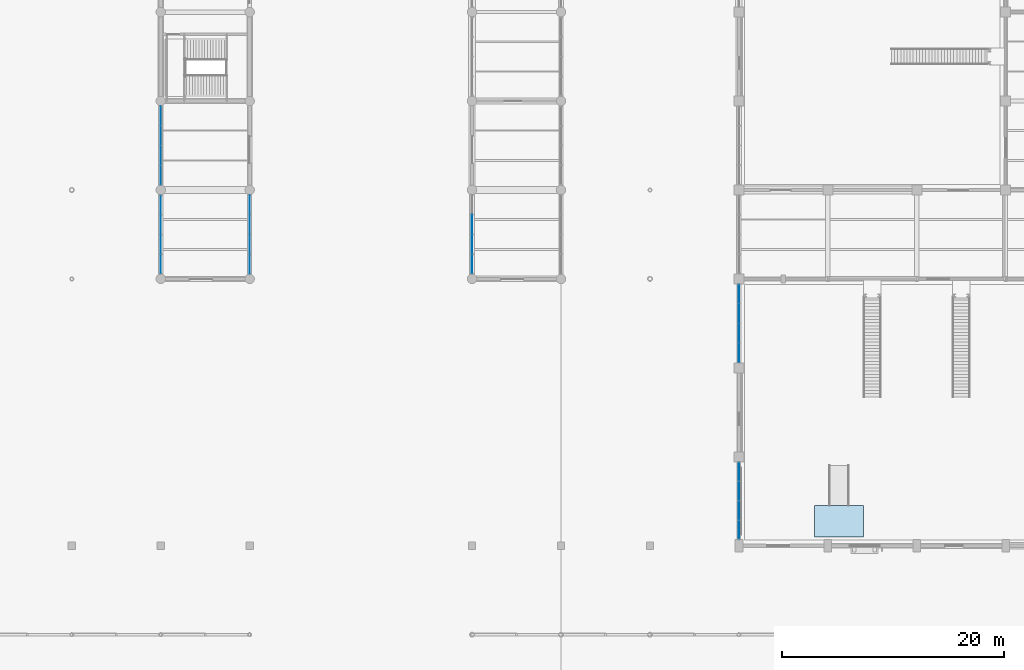
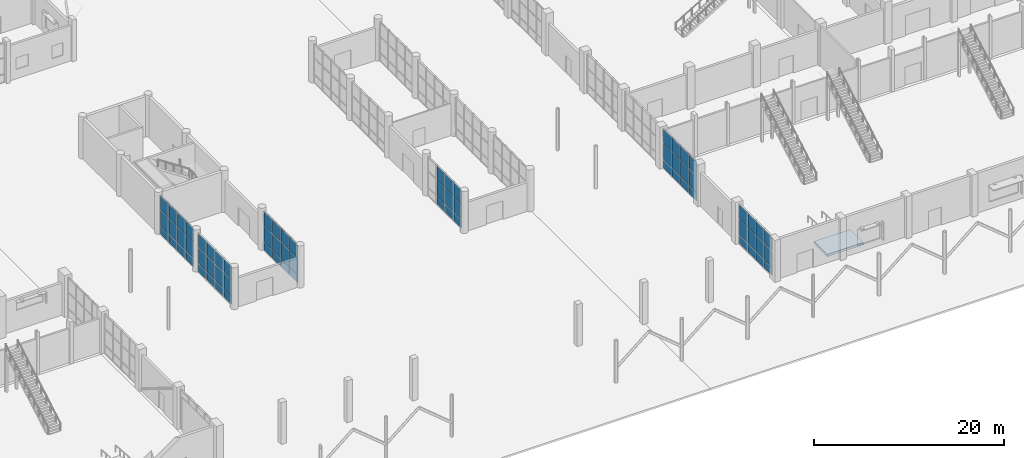
# One storey, part 71 of 123: 69 plates, 1 slab, 6 elements without a shape of their own.
"""IFC4 building model written with IfcOpenShell, lengths in metres."""

from ifc_helpers import new_model, si_unit, direction, frame, origin, origin_2d, place, context, subcontext, project, spatial, polyline, rectangle, outline, extrude, material, layer, layer_set, type_object, element, aggregate, save


model = new_model("IFC4")

# Units and contexts
model_context = context("Model", 3, precision=1e-05, world=origin(), true_north=direction((0.0, 1.0)))
body_context = subcontext(model_context, "Body", "Model", "MODEL_VIEW")
ifc_project = project(units=[si_unit("LENGTHUNIT", "METRE"), si_unit("AREAUNIT", "SQUARE_METRE"), si_unit("VOLUMEUNIT", "CUBIC_METRE"), si_unit("PLANEANGLEUNIT", "RADIAN"), si_unit("MASSUNIT", "GRAM", prefix="KILO")], contexts=[model_context])

# Site, building, storey
site_placement = place(None, origin())
site = spatial("IfcSite", under=ifc_project, at=site_placement, CompositionType="ELEMENT")
building_placement = place(site_placement, origin())
building = spatial("IfcBuilding", under=site, at=building_placement, Name="Tenunan Teduh Sports Hall", CompositionType="ELEMENT")
storey_placement = place(building_placement, origin())
storey = spatial("IfcBuildingStorey", under=building, at=storey_placement, Name="L00", CompositionType="ELEMENT", Elevation=0.0)

# Curtain wall, plates
ifc_material_1 = material(Name="Anodised aluminium", Category="aluminium")
curtain_wall_type = type_object("IfcCurtainWallType", Name="CW-UNIT-1", PredefinedType="NOTDEFINED", material=ifc_material_1)
curtain_wall_1_placement = place(storey_placement, origin())
curtain_wall_1 = element("IfcCurtainWall", 1, at=curtain_wall_1_placement, inside=storey, type_object=curtain_wall_type, Name="CW-CWM-175-L00-154", PredefinedType="NOTDEFINED")
ifc_material_2 = material(Name="Low-E laminated double glazing", Category="glass")
ifc_layer_1 = layer(ifc_material_2, 0.028076171875)
ifc_layer_set_1 = layer_set([ifc_layer_1], Name="Low-E laminated double glazing")
plate_type_1 = type_object("IfcPlateType", Name="CWP-GLZ-28", PredefinedType="CURTAIN_PANEL", material=ifc_layer_set_1)
plate_1_placement = place(storey_placement, frame((70.0, 47.3349609375, 1.13232421875), z_axis=(0.0, 0.0, 1.0), x_axis=(0.0, 1.0, 0.0)))
plate_1 = element("IfcPlate", 2, at=plate_1_placement, type_object=plate_type_1, Name="CW-01 panel 1.2", PredefinedType="CURTAIN_PANEL", context=body_context, shape_type="SweptSolid", body=[
    extrude(rectangle(XDim=1.68994140625, YDim=0.028076171875, at=origin_2d()), origin(), (0.0, 0.0, 1.0), 2.034912109375),
])
plate_2_placement = place(storey_placement, frame((70.0, 47.3349609375, 3.232421875), z_axis=(0.0, 0.0, 1.0), x_axis=(0.0, 1.0, 0.0)))
plate_2 = element("IfcPlate", 3, at=plate_2_placement, type_object=plate_type_1, Name="CW-01 panel 1.3", PredefinedType="CURTAIN_PANEL", context=body_context, shape_type="SweptSolid", body=[
    extrude(rectangle(XDim=1.68994140625, YDim=0.028076171875, at=origin_2d()), origin(), (0.0, 0.0, 1.0), 1.742431640625),
])
plate_3_placement = place(storey_placement, frame((70.0, 49.106201171875, 1.13232421875), z_axis=(0.0, 0.0, 1.0), x_axis=(0.0, 1.0, 0.0)))
plate_3 = element("IfcPlate", 4, at=plate_3_placement, type_object=plate_type_1, Name="CW-01 panel 2.2", PredefinedType="CURTAIN_PANEL", context=body_context, shape_type="SweptSolid", body=[
    extrude(rectangle(XDim=1.722412109375, YDim=0.028076171875, at=origin_2d()), origin(), (0.0, 0.0, 1.0), 2.034912109375),
])
plate_4_placement = place(storey_placement, frame((70.0, 49.106201171875, 3.232421875), z_axis=(0.0, 0.0, 1.0), x_axis=(0.0, 1.0, 0.0)))
plate_4 = element("IfcPlate", 5, at=plate_4_placement, type_object=plate_type_1, Name="CW-01 panel 2.3", PredefinedType="CURTAIN_PANEL", context=body_context, shape_type="SweptSolid", body=[
    extrude(rectangle(XDim=1.722412109375, YDim=0.028076171875, at=origin_2d()), origin(), (0.0, 0.0, 1.0), 1.742431640625),
])
plate_5_placement = place(storey_placement, frame((70.0, 50.893798828125, 1.13232421875), z_axis=(0.0, 0.0, 1.0), x_axis=(0.0, 1.0, 0.0)))
plate_5 = element("IfcPlate", 6, at=plate_5_placement, type_object=plate_type_1, Name="CW-01 panel 3.2", PredefinedType="CURTAIN_PANEL", context=body_context, shape_type="SweptSolid", body=[
    extrude(rectangle(XDim=1.722412109375, YDim=0.028076171875, at=origin_2d()), origin(), (0.0, 0.0, 1.0), 2.034912109375),
])
plate_6_placement = place(storey_placement, frame((70.0, 50.893798828125, 3.232421875), z_axis=(0.0, 0.0, 1.0), x_axis=(0.0, 1.0, 0.0)))
plate_6 = element("IfcPlate", 7, at=plate_6_placement, type_object=plate_type_1, Name="CW-01 panel 3.3", PredefinedType="CURTAIN_PANEL", context=body_context, shape_type="SweptSolid", body=[
    extrude(rectangle(XDim=1.722412109375, YDim=0.028076171875, at=origin_2d()), origin(), (0.0, 0.0, 1.0), 1.742431640625),
])
plate_7_placement = place(storey_placement, frame((70.0, 52.6650390625, 1.13232421875), z_axis=(0.0, 0.0, 1.0), x_axis=(0.0, 1.0, 0.0)))
plate_7 = element("IfcPlate", 8, at=plate_7_placement, type_object=plate_type_1, Name="CW-01 panel 4.2", PredefinedType="CURTAIN_PANEL", context=body_context, shape_type="SweptSolid", body=[
    extrude(rectangle(XDim=1.68994140625, YDim=0.028076171875, at=origin_2d()), origin(), (0.0, 0.0, 1.0), 2.034912109375),
])
plate_8_placement = place(storey_placement, frame((70.0, 52.6650390625, 3.232421875), z_axis=(0.0, 0.0, 1.0), x_axis=(0.0, 1.0, 0.0)))
plate_8 = element("IfcPlate", 9, at=plate_8_placement, type_object=plate_type_1, Name="CW-01 panel 4.3", PredefinedType="CURTAIN_PANEL", context=body_context, shape_type="SweptSolid", body=[
    extrude(rectangle(XDim=1.68994140625, YDim=0.028076171875, at=origin_2d()), origin(), (0.0, 0.0, 1.0), 1.742431640625),
])

curtain_wall_2_placement = place(storey_placement, origin())
curtain_wall_2 = element("IfcCurtainWall", 10, at=curtain_wall_2_placement, inside=storey, type_object=curtain_wall_type, Name="CW-CWM-200-L00-156", PredefinedType="NOTDEFINED")
plate_9_placement = place(storey_placement, frame((98.0, 39.336181640625, 1.134765625), z_axis=(0.0, 0.0, 1.0), x_axis=(0.0, 1.0, 0.0)))
plate_9 = element("IfcPlate", 11, at=plate_9_placement, type_object=plate_type_1, Name="CW-01 panel 1.2", PredefinedType="CURTAIN_PANEL", context=body_context, shape_type="SweptSolid", body=[
    extrude(rectangle(XDim=1.6826171875, YDim=0.028076171875, at=origin_2d()), origin(), (0.0, 0.0, 1.0), 2.030029296875),
])
plate_10_placement = place(storey_placement, frame((98.0, 39.336181640625, 3.23486328125), z_axis=(0.0, 0.0, 1.0), x_axis=(0.0, 1.0, 0.0)))
plate_10 = element("IfcPlate", 12, at=plate_10_placement, type_object=plate_type_1, Name="CW-01 panel 1.3", PredefinedType="CURTAIN_PANEL", context=body_context, shape_type="SweptSolid", body=[
    extrude(rectangle(XDim=1.6826171875, YDim=0.028076171875, at=origin_2d()), origin(), (0.0, 0.0, 1.0), 1.735107421875),
])
plate_11_placement = place(storey_placement, frame((98.0, 41.106201171875, 1.134765625), z_axis=(0.0, 0.0, 1.0), x_axis=(0.0, 1.0, 0.0)))
plate_11 = element("IfcPlate", 13, at=plate_11_placement, type_object=plate_type_1, Name="CW-01 panel 2.2", PredefinedType="CURTAIN_PANEL", context=body_context, shape_type="SweptSolid", body=[
    extrude(rectangle(XDim=1.717529296875, YDim=0.028076171875, at=origin_2d()), origin(), (0.0, 0.0, 1.0), 2.030029296875),
])
plate_12_placement = place(storey_placement, frame((98.0, 41.106201171875, 3.23486328125), z_axis=(0.0, 0.0, 1.0), x_axis=(0.0, 1.0, 0.0)))
plate_12 = element("IfcPlate", 14, at=plate_12_placement, type_object=plate_type_1, Name="CW-01 panel 2.3", PredefinedType="CURTAIN_PANEL", context=body_context, shape_type="SweptSolid", body=[
    extrude(rectangle(XDim=1.717529296875, YDim=0.028076171875, at=origin_2d()), origin(), (0.0, 0.0, 1.0), 1.735107421875),
])
plate_13_placement = place(storey_placement, frame((98.0, 42.893798828125, 1.134765625), z_axis=(0.0, 0.0, 1.0), x_axis=(0.0, 1.0, 0.0)))
plate_13 = element("IfcPlate", 15, at=plate_13_placement, type_object=plate_type_1, Name="CW-01 panel 3.2", PredefinedType="CURTAIN_PANEL", context=body_context, shape_type="SweptSolid", body=[
    extrude(rectangle(XDim=1.717529296875, YDim=0.028076171875, at=origin_2d()), origin(), (0.0, 0.0, 1.0), 2.030029296875),
])
plate_14_placement = place(storey_placement, frame((98.0, 42.893798828125, 3.23486328125), z_axis=(0.0, 0.0, 1.0), x_axis=(0.0, 1.0, 0.0)))
plate_14 = element("IfcPlate", 16, at=plate_14_placement, type_object=plate_type_1, Name="CW-01 panel 3.3", PredefinedType="CURTAIN_PANEL", context=body_context, shape_type="SweptSolid", body=[
    extrude(rectangle(XDim=1.717529296875, YDim=0.028076171875, at=origin_2d()), origin(), (0.0, 0.0, 1.0), 1.735107421875),
])

curtain_wall_3_placement = place(storey_placement, origin())
curtain_wall_3 = element("IfcCurtainWall", 17, at=curtain_wall_3_placement, inside=storey, type_object=curtain_wall_type, Name="CW-CWM-220-L00-001", PredefinedType="NOTDEFINED")
ifc_material_3 = material(Name="Solar-control laminated glazing", Category="glass")
ifc_layer_2 = layer(ifc_material_3, 0.031982421875)
ifc_layer_set_2 = layer_set([ifc_layer_2], Name="Solar-control laminated glazing")
plate_type_2 = type_object("IfcPlateType", Name="CWP-GLZ-32", PredefinedType="CURTAIN_PANEL", material=ifc_layer_set_2)
plate_15_placement = place(storey_placement, frame((122.0, 15.44384765625, 1.137451171875), z_axis=(0.0, 0.0, 1.0), x_axis=(0.0, 1.0, 0.0)))
plate_15 = element("IfcPlate", 18, at=plate_15_placement, type_object=plate_type_2, Name="CW-01 panel 1.2", PredefinedType="CURTAIN_PANEL", context=body_context, shape_type="SweptSolid", body=[
    extrude(rectangle(XDim=1.637451171875, YDim=0.031982421875, at=origin_2d()), origin(), (0.0, 0.0, 1.0), 2.02490234375),
])
plate_16_placement = place(storey_placement, frame((122.0, 15.44384765625, 3.237548828125), z_axis=(0.0, 0.0, 1.0), x_axis=(0.0, 1.0, 0.0)))
plate_16 = element("IfcPlate", 19, at=plate_16_placement, type_object=plate_type_2, Name="CW-01 panel 1.3", PredefinedType="CURTAIN_PANEL", context=body_context, shape_type="SweptSolid", body=[
    extrude(rectangle(XDim=1.637451171875, YDim=0.031982421875, at=origin_2d()), origin(), (0.0, 0.0, 1.0), 1.8076171875),
])
plate_17_placement = place(storey_placement, frame((122.0, 17.175048828125, 1.137451171875), z_axis=(0.0, 0.0, 1.0), x_axis=(0.0, 1.0, 0.0)))
plate_17 = element("IfcPlate", 20, at=plate_17_placement, type_object=plate_type_2, Name="CW-01 panel 2.2", PredefinedType="CURTAIN_PANEL", context=body_context, shape_type="SweptSolid", body=[
    extrude(rectangle(XDim=1.675048828125, YDim=0.031982421875, at=origin_2d()), origin(), (0.0, 0.0, 1.0), 2.02490234375),
])
plate_18_placement = place(storey_placement, frame((122.0, 17.175048828125, 3.237548828125), z_axis=(0.0, 0.0, 1.0), x_axis=(0.0, 1.0, 0.0)))
plate_18 = element("IfcPlate", 21, at=plate_18_placement, type_object=plate_type_2, Name="CW-01 panel 2.3", PredefinedType="CURTAIN_PANEL", context=body_context, shape_type="SweptSolid", body=[
    extrude(rectangle(XDim=1.675048828125, YDim=0.031982421875, at=origin_2d()), origin(), (0.0, 0.0, 1.0), 1.8076171875),
])
plate_19_placement = place(storey_placement, frame((122.0, 18.925048828125, 1.137451171875), z_axis=(0.0, 0.0, 1.0), x_axis=(0.0, 1.0, 0.0)))
plate_19 = element("IfcPlate", 22, at=plate_19_placement, type_object=plate_type_2, Name="CW-01 panel 3.2", PredefinedType="CURTAIN_PANEL", context=body_context, shape_type="SweptSolid", body=[
    extrude(rectangle(XDim=1.675048828125, YDim=0.031982421875, at=origin_2d()), origin(), (0.0, 0.0, 1.0), 2.02490234375),
])
plate_20_placement = place(storey_placement, frame((122.0, 18.925048828125, 3.237548828125), z_axis=(0.0, 0.0, 1.0), x_axis=(0.0, 1.0, 0.0)))
plate_20 = element("IfcPlate", 23, at=plate_20_placement, type_object=plate_type_2, Name="CW-01 panel 3.3", PredefinedType="CURTAIN_PANEL", context=body_context, shape_type="SweptSolid", body=[
    extrude(rectangle(XDim=1.675048828125, YDim=0.031982421875, at=origin_2d()), origin(), (0.0, 0.0, 1.0), 1.8076171875),
])
plate_21_placement = place(storey_placement, frame((122.0, 20.65625, 1.137451171875), z_axis=(0.0, 0.0, 1.0), x_axis=(0.0, 1.0, 0.0)))
plate_21 = element("IfcPlate", 24, at=plate_21_placement, type_object=plate_type_2, Name="CW-01 panel 4.2", PredefinedType="CURTAIN_PANEL", context=body_context, shape_type="SweptSolid", body=[
    extrude(rectangle(XDim=1.637451171875, YDim=0.031982421875, at=origin_2d()), origin(), (0.0, 0.0, 1.0), 2.02490234375),
])
plate_22_placement = place(storey_placement, frame((122.0, 20.65625, 3.237548828125), z_axis=(0.0, 0.0, 1.0), x_axis=(0.0, 1.0, 0.0)))
plate_22 = element("IfcPlate", 25, at=plate_22_placement, type_object=plate_type_2, Name="CW-01 panel 4.3", PredefinedType="CURTAIN_PANEL", context=body_context, shape_type="SweptSolid", body=[
    extrude(rectangle(XDim=1.637451171875, YDim=0.031982421875, at=origin_2d()), origin(), (0.0, 0.0, 1.0), 1.8076171875),
])

curtain_wall_4_placement = place(storey_placement, origin())
curtain_wall_4 = element("IfcCurtainWall", 26, at=curtain_wall_4_placement, inside=storey, type_object=curtain_wall_type, Name="CW-CWM-150-L00-003", PredefinedType="NOTDEFINED")
plate_23_placement = place(storey_placement, frame((122.0, 31.3525390625, 1.1298828125), z_axis=(0.0, 0.0, 1.0), x_axis=(0.0, 1.0, 0.0)))
plate_23 = element("IfcPlate", 27, at=plate_23_placement, type_object=plate_type_2, Name="CW-01 panel 1.2", PredefinedType="CURTAIN_PANEL", context=body_context, shape_type="SweptSolid", body=[
    extrude(rectangle(XDim=1.68505859375, YDim=0.031982421875, at=origin_2d()), origin(), (0.0, 0.0, 1.0), 2.0400390625),
])
plate_24_placement = place(storey_placement, frame((122.0, 31.3525390625, 3.22998046875), z_axis=(0.0, 0.0, 1.0), x_axis=(0.0, 1.0, 0.0)))
plate_24 = element("IfcPlate", 28, at=plate_24_placement, type_object=plate_type_2, Name="CW-01 panel 1.3", PredefinedType="CURTAIN_PANEL", context=body_context, shape_type="SweptSolid", body=[
    extrude(rectangle(XDim=1.68505859375, YDim=0.031982421875, at=origin_2d()), origin(), (0.0, 0.0, 1.0), 1.830078125),
])
plate_25_placement = place(storey_placement, frame((122.0, 33.112548828125, 1.1298828125), z_axis=(0.0, 0.0, 1.0), x_axis=(0.0, 1.0, 0.0)))
plate_25 = element("IfcPlate", 29, at=plate_25_placement, type_object=plate_type_2, Name="CW-01 panel 2.2", PredefinedType="CURTAIN_PANEL", context=body_context, shape_type="SweptSolid", body=[
    extrude(rectangle(XDim=1.715087890625, YDim=0.031982421875, at=origin_2d()), origin(), (0.0, 0.0, 1.0), 2.0400390625),
])
plate_26_placement = place(storey_placement, frame((122.0, 33.112548828125, 3.22998046875), z_axis=(0.0, 0.0, 1.0), x_axis=(0.0, 1.0, 0.0)))
plate_26 = element("IfcPlate", 30, at=plate_26_placement, type_object=plate_type_2, Name="CW-01 panel 2.3", PredefinedType="CURTAIN_PANEL", context=body_context, shape_type="SweptSolid", body=[
    extrude(rectangle(XDim=1.715087890625, YDim=0.031982421875, at=origin_2d()), origin(), (0.0, 0.0, 1.0), 1.830078125),
])
plate_27_placement = place(storey_placement, frame((122.0, 34.887451171875, 1.1298828125), z_axis=(0.0, 0.0, 1.0), x_axis=(0.0, 1.0, 0.0)))
plate_27 = element("IfcPlate", 31, at=plate_27_placement, type_object=plate_type_2, Name="CW-01 panel 3.2", PredefinedType="CURTAIN_PANEL", context=body_context, shape_type="SweptSolid", body=[
    extrude(rectangle(XDim=1.715087890625, YDim=0.031982421875, at=origin_2d()), origin(), (0.0, 0.0, 1.0), 2.0400390625),
])
plate_28_placement = place(storey_placement, frame((122.0, 34.887451171875, 3.22998046875), z_axis=(0.0, 0.0, 1.0), x_axis=(0.0, 1.0, 0.0)))
plate_28 = element("IfcPlate", 32, at=plate_28_placement, type_object=plate_type_2, Name="CW-01 panel 3.3", PredefinedType="CURTAIN_PANEL", context=body_context, shape_type="SweptSolid", body=[
    extrude(rectangle(XDim=1.715087890625, YDim=0.031982421875, at=origin_2d()), origin(), (0.0, 0.0, 1.0), 1.830078125),
])
plate_29_placement = place(storey_placement, frame((122.0, 36.6474609375, 1.1298828125), z_axis=(0.0, 0.0, 1.0), x_axis=(0.0, 1.0, 0.0)))
plate_29 = element("IfcPlate", 33, at=plate_29_placement, type_object=plate_type_2, Name="CW-01 panel 4.2", PredefinedType="CURTAIN_PANEL", context=body_context, shape_type="SweptSolid", body=[
    extrude(rectangle(XDim=1.68505859375, YDim=0.031982421875, at=origin_2d()), origin(), (0.0, 0.0, 1.0), 2.0400390625),
])
plate_30_placement = place(storey_placement, frame((122.0, 36.6474609375, 3.22998046875), z_axis=(0.0, 0.0, 1.0), x_axis=(0.0, 1.0, 0.0)))
plate_30 = element("IfcPlate", 34, at=plate_30_placement, type_object=plate_type_2, Name="CW-01 panel 4.3", PredefinedType="CURTAIN_PANEL", context=body_context, shape_type="SweptSolid", body=[
    extrude(rectangle(XDim=1.68505859375, YDim=0.031982421875, at=origin_2d()), origin(), (0.0, 0.0, 1.0), 1.830078125),
])

curtain_wall_5_placement = place(storey_placement, origin())
curtain_wall_5 = element("IfcCurtainWall", 35, at=curtain_wall_5_placement, inside=storey, type_object=curtain_wall_type, Name="CW-CWM-220-L00-153", PredefinedType="NOTDEFINED")
plate_31_placement = place(storey_placement, frame((70.0, 39.33740234375, 1.137451171875), z_axis=(0.0, 0.0, 1.0), x_axis=(0.0, 1.0, 0.0)))
plate_31 = element("IfcPlate", 36, at=plate_31_placement, type_object=plate_type_2, Name="CW-01 panel 1.2", PredefinedType="CURTAIN_PANEL", context=body_context, shape_type="SweptSolid", body=[
    extrude(rectangle(XDim=1.675048828125, YDim=0.031982421875, at=origin_2d()), origin(), (0.0, 0.0, 1.0), 2.02490234375),
])
plate_32_placement = place(storey_placement, frame((70.0, 39.33740234375, 3.237548828125), z_axis=(0.0, 0.0, 1.0), x_axis=(0.0, 1.0, 0.0)))
plate_32 = element("IfcPlate", 37, at=plate_32_placement, type_object=plate_type_2, Name="CW-01 panel 1.3", PredefinedType="CURTAIN_PANEL", context=body_context, shape_type="SweptSolid", body=[
    extrude(rectangle(XDim=1.675048828125, YDim=0.031982421875, at=origin_2d()), origin(), (0.0, 0.0, 1.0), 1.7275390625),
])
plate_33_placement = place(storey_placement, frame((70.0, 41.106201171875, 1.137451171875), z_axis=(0.0, 0.0, 1.0), x_axis=(0.0, 1.0, 0.0)))
plate_33 = element("IfcPlate", 38, at=plate_33_placement, type_object=plate_type_2, Name="CW-01 panel 2.2", PredefinedType="CURTAIN_PANEL", context=body_context, shape_type="SweptSolid", body=[
    extrude(rectangle(XDim=1.71240234375, YDim=0.031982421875, at=origin_2d()), origin(), (0.0, 0.0, 1.0), 2.02490234375),
])
plate_34_placement = place(storey_placement, frame((70.0, 41.106201171875, 3.237548828125), z_axis=(0.0, 0.0, 1.0), x_axis=(0.0, 1.0, 0.0)))
plate_34 = element("IfcPlate", 39, at=plate_34_placement, type_object=plate_type_2, Name="CW-01 panel 2.3", PredefinedType="CURTAIN_PANEL", context=body_context, shape_type="SweptSolid", body=[
    extrude(rectangle(XDim=1.71240234375, YDim=0.031982421875, at=origin_2d()), origin(), (0.0, 0.0, 1.0), 1.7275390625),
])
plate_35_placement = place(storey_placement, frame((70.0, 42.893798828125, 1.137451171875), z_axis=(0.0, 0.0, 1.0), x_axis=(0.0, 1.0, 0.0)))
plate_35 = element("IfcPlate", 40, at=plate_35_placement, type_object=plate_type_2, Name="CW-01 panel 3.2", PredefinedType="CURTAIN_PANEL", context=body_context, shape_type="SweptSolid", body=[
    extrude(rectangle(XDim=1.71240234375, YDim=0.031982421875, at=origin_2d()), origin(), (0.0, 0.0, 1.0), 2.02490234375),
])
plate_36_placement = place(storey_placement, frame((70.0, 42.893798828125, 3.237548828125), z_axis=(0.0, 0.0, 1.0), x_axis=(0.0, 1.0, 0.0)))
plate_36 = element("IfcPlate", 41, at=plate_36_placement, type_object=plate_type_2, Name="CW-01 panel 3.3", PredefinedType="CURTAIN_PANEL", context=body_context, shape_type="SweptSolid", body=[
    extrude(rectangle(XDim=1.71240234375, YDim=0.031982421875, at=origin_2d()), origin(), (0.0, 0.0, 1.0), 1.7275390625),
])
plate_37_placement = place(storey_placement, frame((70.0, 44.66259765625, 1.137451171875), z_axis=(0.0, 0.0, 1.0), x_axis=(0.0, 1.0, 0.0)))
plate_37 = element("IfcPlate", 42, at=plate_37_placement, type_object=plate_type_2, Name="CW-01 panel 4.2", PredefinedType="CURTAIN_PANEL", context=body_context, shape_type="SweptSolid", body=[
    extrude(rectangle(XDim=1.675048828125, YDim=0.031982421875, at=origin_2d()), origin(), (0.0, 0.0, 1.0), 2.02490234375),
])
plate_38_placement = place(storey_placement, frame((70.0, 44.66259765625, 3.237548828125), z_axis=(0.0, 0.0, 1.0), x_axis=(0.0, 1.0, 0.0)))
plate_38 = element("IfcPlate", 43, at=plate_38_placement, type_object=plate_type_2, Name="CW-01 panel 4.3", PredefinedType="CURTAIN_PANEL", context=body_context, shape_type="SweptSolid", body=[
    extrude(rectangle(XDim=1.675048828125, YDim=0.031982421875, at=origin_2d()), origin(), (0.0, 0.0, 1.0), 1.7275390625),
])

curtain_wall_6_placement = place(storey_placement, origin())
curtain_wall_6 = element("IfcCurtainWall", 44, at=curtain_wall_6_placement, inside=storey, type_object=curtain_wall_type, Name="CW-CWM-150-L00-155", PredefinedType="NOTDEFINED")
plate_39_placement = place(storey_placement, frame((78.0, 39.333740234375, 1.1298828125), z_axis=(0.0, 0.0, 1.0), x_axis=(0.0, 1.0, 0.0)))
plate_39 = element("IfcPlate", 45, at=plate_39_placement, type_object=plate_type_2, Name="CW-01 panel 1.2", PredefinedType="CURTAIN_PANEL", context=body_context, shape_type="SweptSolid", body=[
    extrude(rectangle(XDim=1.697509765625, YDim=0.031982421875, at=origin_2d()), origin(), (0.0, 0.0, 1.0), 2.0400390625),
])
plate_40_placement = place(storey_placement, frame((78.0, 39.333740234375, 3.22998046875), z_axis=(0.0, 0.0, 1.0), x_axis=(0.0, 1.0, 0.0)))
plate_40 = element("IfcPlate", 46, at=plate_40_placement, type_object=plate_type_2, Name="CW-01 panel 1.3", PredefinedType="CURTAIN_PANEL", context=body_context, shape_type="SweptSolid", body=[
    extrude(rectangle(XDim=1.697509765625, YDim=0.031982421875, at=origin_2d()), origin(), (0.0, 0.0, 1.0), 1.75),
])
plate_41_placement = place(storey_placement, frame((78.0, 41.106201171875, 1.1298828125), z_axis=(0.0, 0.0, 1.0), x_axis=(0.0, 1.0, 0.0)))
plate_41 = element("IfcPlate", 47, at=plate_41_placement, type_object=plate_type_2, Name="CW-01 panel 2.2", PredefinedType="CURTAIN_PANEL", context=body_context, shape_type="SweptSolid", body=[
    extrude(rectangle(XDim=1.7275390625, YDim=0.031982421875, at=origin_2d()), origin(), (0.0, 0.0, 1.0), 2.0400390625),
])
plate_42_placement = place(storey_placement, frame((78.0, 41.106201171875, 3.22998046875), z_axis=(0.0, 0.0, 1.0), x_axis=(0.0, 1.0, 0.0)))
plate_42 = element("IfcPlate", 48, at=plate_42_placement, type_object=plate_type_2, Name="CW-01 panel 2.3", PredefinedType="CURTAIN_PANEL", context=body_context, shape_type="SweptSolid", body=[
    extrude(rectangle(XDim=1.7275390625, YDim=0.031982421875, at=origin_2d()), origin(), (0.0, 0.0, 1.0), 1.75),
])
plate_43_placement = place(storey_placement, frame((78.0, 42.893798828125, 1.1298828125), z_axis=(0.0, 0.0, 1.0), x_axis=(0.0, 1.0, 0.0)))
plate_43 = element("IfcPlate", 49, at=plate_43_placement, type_object=plate_type_2, Name="CW-01 panel 3.2", PredefinedType="CURTAIN_PANEL", context=body_context, shape_type="SweptSolid", body=[
    extrude(rectangle(XDim=1.7275390625, YDim=0.031982421875, at=origin_2d()), origin(), (0.0, 0.0, 1.0), 2.0400390625),
])
plate_44_placement = place(storey_placement, frame((78.0, 42.893798828125, 3.22998046875), z_axis=(0.0, 0.0, 1.0), x_axis=(0.0, 1.0, 0.0)))
plate_44 = element("IfcPlate", 50, at=plate_44_placement, type_object=plate_type_2, Name="CW-01 panel 3.3", PredefinedType="CURTAIN_PANEL", context=body_context, shape_type="SweptSolid", body=[
    extrude(rectangle(XDim=1.7275390625, YDim=0.031982421875, at=origin_2d()), origin(), (0.0, 0.0, 1.0), 1.75),
])
plate_45_placement = place(storey_placement, frame((78.0, 44.666259765625, 1.1298828125), z_axis=(0.0, 0.0, 1.0), x_axis=(0.0, 1.0, 0.0)))
plate_45 = element("IfcPlate", 51, at=plate_45_placement, type_object=plate_type_2, Name="CW-01 panel 4.2", PredefinedType="CURTAIN_PANEL", context=body_context, shape_type="SweptSolid", body=[
    extrude(rectangle(XDim=1.697509765625, YDim=0.031982421875, at=origin_2d()), origin(), (0.0, 0.0, 1.0), 2.0400390625),
])
plate_46_placement = place(storey_placement, frame((78.0, 44.666259765625, 3.22998046875), z_axis=(0.0, 0.0, 1.0), x_axis=(0.0, 1.0, 0.0)))
plate_46 = element("IfcPlate", 52, at=plate_46_placement, type_object=plate_type_2, Name="CW-01 panel 4.3", PredefinedType="CURTAIN_PANEL", context=body_context, shape_type="SweptSolid", body=[
    extrude(rectangle(XDim=1.697509765625, YDim=0.031982421875, at=origin_2d()), origin(), (0.0, 0.0, 1.0), 1.75),
])

# Plate
ifc_material_4 = material(Name="Insulated aluminium spandrel panel", Category="aluminium")
ifc_layer_3 = layer(ifc_material_4, 0.044921875)
ifc_layer_set_3 = layer_set([ifc_layer_3], Name="Insulated aluminium spandrel panel")
plate_type_3 = type_object("IfcPlateType", Name="CWP-SPN-45", PredefinedType="CURTAIN_PANEL", material=ifc_layer_set_3)
plate_47_placement = place(storey_placement, frame((122.0, 15.44384765625, 0.0751953125), z_axis=(0.0, 0.0, 1.0), x_axis=(0.0, 1.0, 0.0)))
plate_47 = element("IfcPlate", 53, at=plate_47_placement, type_object=plate_type_3, Name="CW-01 panel 1.1", PredefinedType="CURTAIN_PANEL", context=body_context, shape_type="SweptSolid", body=[
    extrude(rectangle(XDim=1.637451171875, YDim=0.031982421875, at=origin_2d()), origin(), (0.0, 0.0, 1.0), 0.987548828125),
])

plate_48_placement = place(storey_placement, frame((122.0, 17.175048828125, 0.0751953125), z_axis=(0.0, 0.0, 1.0), x_axis=(0.0, 1.0, 0.0)))
plate_48 = element("IfcPlate", 54, at=plate_48_placement, type_object=plate_type_3, Name="CW-01 panel 2.1", PredefinedType="CURTAIN_PANEL", context=body_context, shape_type="SweptSolid", body=[
    extrude(rectangle(XDim=1.675048828125, YDim=0.031982421875, at=origin_2d()), origin(), (0.0, 0.0, 1.0), 0.987548828125),
])

plate_49_placement = place(storey_placement, frame((122.0, 18.925048828125, 0.0751953125), z_axis=(0.0, 0.0, 1.0), x_axis=(0.0, 1.0, 0.0)))
plate_49 = element("IfcPlate", 55, at=plate_49_placement, type_object=plate_type_3, Name="CW-01 panel 3.1", PredefinedType="CURTAIN_PANEL", context=body_context, shape_type="SweptSolid", body=[
    extrude(rectangle(XDim=1.675048828125, YDim=0.031982421875, at=origin_2d()), origin(), (0.0, 0.0, 1.0), 0.987548828125),
])

plate_50_placement = place(storey_placement, frame((122.0, 20.65625, 0.0751953125), z_axis=(0.0, 0.0, 1.0), x_axis=(0.0, 1.0, 0.0)))
plate_50 = element("IfcPlate", 56, at=plate_50_placement, type_object=plate_type_3, Name="CW-01 panel 4.1", PredefinedType="CURTAIN_PANEL", context=body_context, shape_type="SweptSolid", body=[
    extrude(rectangle(XDim=1.637451171875, YDim=0.031982421875, at=origin_2d()), origin(), (0.0, 0.0, 1.0), 0.987548828125),
])

aggregate(curtain_wall_3, [plate_47, plate_15, plate_16, plate_48, plate_17, plate_18, plate_49, plate_19, plate_20, plate_50, plate_21, plate_22])

plate_51_placement = place(storey_placement, frame((122.0, 31.3525390625, 0.06005859375), z_axis=(0.0, 0.0, 1.0), x_axis=(0.0, 1.0, 0.0)))
plate_51 = element("IfcPlate", 57, at=plate_51_placement, type_object=plate_type_3, Name="CW-01 panel 1.1", PredefinedType="CURTAIN_PANEL", context=body_context, shape_type="SweptSolid", body=[
    extrude(rectangle(XDim=1.68505859375, YDim=0.031982421875, at=origin_2d()), origin(), (0.0, 0.0, 1.0), 1.010009765625),
])

plate_52_placement = place(storey_placement, frame((122.0, 33.112548828125, 0.06005859375), z_axis=(0.0, 0.0, 1.0), x_axis=(0.0, 1.0, 0.0)))
plate_52 = element("IfcPlate", 58, at=plate_52_placement, type_object=plate_type_3, Name="CW-01 panel 2.1", PredefinedType="CURTAIN_PANEL", context=body_context, shape_type="SweptSolid", body=[
    extrude(rectangle(XDim=1.715087890625, YDim=0.031982421875, at=origin_2d()), origin(), (0.0, 0.0, 1.0), 1.010009765625),
])

plate_53_placement = place(storey_placement, frame((122.0, 34.887451171875, 0.06005859375), z_axis=(0.0, 0.0, 1.0), x_axis=(0.0, 1.0, 0.0)))
plate_53 = element("IfcPlate", 59, at=plate_53_placement, type_object=plate_type_3, Name="CW-01 panel 3.1", PredefinedType="CURTAIN_PANEL", context=body_context, shape_type="SweptSolid", body=[
    extrude(rectangle(XDim=1.715087890625, YDim=0.031982421875, at=origin_2d()), origin(), (0.0, 0.0, 1.0), 1.010009765625),
])

plate_54_placement = place(storey_placement, frame((122.0, 36.6474609375, 0.06005859375), z_axis=(0.0, 0.0, 1.0), x_axis=(0.0, 1.0, 0.0)))
plate_54 = element("IfcPlate", 60, at=plate_54_placement, type_object=plate_type_3, Name="CW-01 panel 4.1", PredefinedType="CURTAIN_PANEL", context=body_context, shape_type="SweptSolid", body=[
    extrude(rectangle(XDim=1.68505859375, YDim=0.031982421875, at=origin_2d()), origin(), (0.0, 0.0, 1.0), 1.010009765625),
])

aggregate(curtain_wall_4, [plate_51, plate_23, plate_24, plate_52, plate_25, plate_26, plate_53, plate_27, plate_28, plate_54, plate_29, plate_30])

plate_55_placement = place(storey_placement, frame((70.0, 39.33740234375, 0.0751953125), z_axis=(0.0, 0.0, 1.0), x_axis=(0.0, 1.0, 0.0)))
plate_55 = element("IfcPlate", 61, at=plate_55_placement, type_object=plate_type_3, Name="CW-01 panel 1.1", PredefinedType="CURTAIN_PANEL", context=body_context, shape_type="SweptSolid", body=[
    extrude(rectangle(XDim=1.675048828125, YDim=0.031982421875, at=origin_2d()), origin(), (0.0, 0.0, 1.0), 0.987548828125),
])

plate_56_placement = place(storey_placement, frame((70.0, 41.106201171875, 0.0751953125), z_axis=(0.0, 0.0, 1.0), x_axis=(0.0, 1.0, 0.0)))
plate_56 = element("IfcPlate", 62, at=plate_56_placement, type_object=plate_type_3, Name="CW-01 panel 2.1", PredefinedType="CURTAIN_PANEL", context=body_context, shape_type="SweptSolid", body=[
    extrude(rectangle(XDim=1.71240234375, YDim=0.031982421875, at=origin_2d()), origin(), (0.0, 0.0, 1.0), 0.987548828125),
])

plate_57_placement = place(storey_placement, frame((70.0, 42.893798828125, 0.0751953125), z_axis=(0.0, 0.0, 1.0), x_axis=(0.0, 1.0, 0.0)))
plate_57 = element("IfcPlate", 63, at=plate_57_placement, type_object=plate_type_3, Name="CW-01 panel 3.1", PredefinedType="CURTAIN_PANEL", context=body_context, shape_type="SweptSolid", body=[
    extrude(rectangle(XDim=1.71240234375, YDim=0.031982421875, at=origin_2d()), origin(), (0.0, 0.0, 1.0), 0.987548828125),
])

plate_58_placement = place(storey_placement, frame((70.0, 44.66259765625, 0.0751953125), z_axis=(0.0, 0.0, 1.0), x_axis=(0.0, 1.0, 0.0)))
plate_58 = element("IfcPlate", 64, at=plate_58_placement, type_object=plate_type_3, Name="CW-01 panel 4.1", PredefinedType="CURTAIN_PANEL", context=body_context, shape_type="SweptSolid", body=[
    extrude(rectangle(XDim=1.675048828125, YDim=0.031982421875, at=origin_2d()), origin(), (0.0, 0.0, 1.0), 0.987548828125),
])

aggregate(curtain_wall_5, [plate_55, plate_31, plate_32, plate_56, plate_33, plate_34, plate_57, plate_35, plate_36, plate_58, plate_37, plate_38])

plate_59_placement = place(storey_placement, frame((70.0, 47.3349609375, 0.06494140625), z_axis=(0.0, 0.0, 1.0), x_axis=(0.0, 1.0, 0.0)))
plate_59 = element("IfcPlate", 65, at=plate_59_placement, type_object=plate_type_3, Name="CW-01 panel 1.1", PredefinedType="CURTAIN_PANEL", context=body_context, shape_type="SweptSolid", body=[
    extrude(rectangle(XDim=1.68994140625, YDim=0.028076171875, at=origin_2d()), origin(), (0.0, 0.0, 1.0), 1.00244140625),
])

plate_60_placement = place(storey_placement, frame((70.0, 49.106201171875, 0.06494140625), z_axis=(0.0, 0.0, 1.0), x_axis=(0.0, 1.0, 0.0)))
plate_60 = element("IfcPlate", 66, at=plate_60_placement, type_object=plate_type_3, Name="CW-01 panel 2.1", PredefinedType="CURTAIN_PANEL", context=body_context, shape_type="SweptSolid", body=[
    extrude(rectangle(XDim=1.722412109375, YDim=0.028076171875, at=origin_2d()), origin(), (0.0, 0.0, 1.0), 1.00244140625),
])

plate_61_placement = place(storey_placement, frame((70.0, 50.893798828125, 0.06494140625), z_axis=(0.0, 0.0, 1.0), x_axis=(0.0, 1.0, 0.0)))
plate_61 = element("IfcPlate", 67, at=plate_61_placement, type_object=plate_type_3, Name="CW-01 panel 3.1", PredefinedType="CURTAIN_PANEL", context=body_context, shape_type="SweptSolid", body=[
    extrude(rectangle(XDim=1.722412109375, YDim=0.028076171875, at=origin_2d()), origin(), (0.0, 0.0, 1.0), 1.00244140625),
])

plate_62_placement = place(storey_placement, frame((70.0, 52.6650390625, 0.06494140625), z_axis=(0.0, 0.0, 1.0), x_axis=(0.0, 1.0, 0.0)))
plate_62 = element("IfcPlate", 68, at=plate_62_placement, type_object=plate_type_3, Name="CW-01 panel 4.1", PredefinedType="CURTAIN_PANEL", context=body_context, shape_type="SweptSolid", body=[
    extrude(rectangle(XDim=1.68994140625, YDim=0.028076171875, at=origin_2d()), origin(), (0.0, 0.0, 1.0), 1.00244140625),
])

aggregate(curtain_wall_1, [plate_59, plate_1, plate_2, plate_60, plate_3, plate_4, plate_61, plate_5, plate_6, plate_62, plate_7, plate_8])

plate_63_placement = place(storey_placement, frame((78.0, 39.333740234375, 0.06005859375), z_axis=(0.0, 0.0, 1.0), x_axis=(0.0, 1.0, 0.0)))
plate_63 = element("IfcPlate", 69, at=plate_63_placement, type_object=plate_type_3, Name="CW-01 panel 1.1", PredefinedType="CURTAIN_PANEL", context=body_context, shape_type="SweptSolid", body=[
    extrude(rectangle(XDim=1.697509765625, YDim=0.031982421875, at=origin_2d()), origin(), (0.0, 0.0, 1.0), 1.010009765625),
])

plate_64_placement = place(storey_placement, frame((78.0, 41.106201171875, 0.06005859375), z_axis=(0.0, 0.0, 1.0), x_axis=(0.0, 1.0, 0.0)))
plate_64 = element("IfcPlate", 70, at=plate_64_placement, type_object=plate_type_3, Name="CW-01 panel 2.1", PredefinedType="CURTAIN_PANEL", context=body_context, shape_type="SweptSolid", body=[
    extrude(rectangle(XDim=1.7275390625, YDim=0.031982421875, at=origin_2d()), origin(), (0.0, 0.0, 1.0), 1.010009765625),
])

plate_65_placement = place(storey_placement, frame((78.0, 42.893798828125, 0.06005859375), z_axis=(0.0, 0.0, 1.0), x_axis=(0.0, 1.0, 0.0)))
plate_65 = element("IfcPlate", 71, at=plate_65_placement, type_object=plate_type_3, Name="CW-01 panel 3.1", PredefinedType="CURTAIN_PANEL", context=body_context, shape_type="SweptSolid", body=[
    extrude(rectangle(XDim=1.7275390625, YDim=0.031982421875, at=origin_2d()), origin(), (0.0, 0.0, 1.0), 1.010009765625),
])

plate_66_placement = place(storey_placement, frame((78.0, 44.666259765625, 0.06005859375), z_axis=(0.0, 0.0, 1.0), x_axis=(0.0, 1.0, 0.0)))
plate_66 = element("IfcPlate", 72, at=plate_66_placement, type_object=plate_type_3, Name="CW-01 panel 4.1", PredefinedType="CURTAIN_PANEL", context=body_context, shape_type="SweptSolid", body=[
    extrude(rectangle(XDim=1.697509765625, YDim=0.031982421875, at=origin_2d()), origin(), (0.0, 0.0, 1.0), 1.010009765625),
])

aggregate(curtain_wall_6, [plate_63, plate_39, plate_40, plate_64, plate_41, plate_42, plate_65, plate_43, plate_44, plate_66, plate_45, plate_46])

plate_67_placement = place(storey_placement, frame((98.0, 39.336181640625, 0.06982421875), z_axis=(0.0, 0.0, 1.0), x_axis=(0.0, 1.0, 0.0)))
plate_67 = element("IfcPlate", 73, at=plate_67_placement, type_object=plate_type_3, Name="CW-01 panel 1.1", PredefinedType="CURTAIN_PANEL", context=body_context, shape_type="SweptSolid", body=[
    extrude(rectangle(XDim=1.6826171875, YDim=0.028076171875, at=origin_2d()), origin(), (0.0, 0.0, 1.0), 0.9951171875),
])

plate_68_placement = place(storey_placement, frame((98.0, 41.106201171875, 0.06982421875), z_axis=(0.0, 0.0, 1.0), x_axis=(0.0, 1.0, 0.0)))
plate_68 = element("IfcPlate", 74, at=plate_68_placement, type_object=plate_type_3, Name="CW-01 panel 2.1", PredefinedType="CURTAIN_PANEL", context=body_context, shape_type="SweptSolid", body=[
    extrude(rectangle(XDim=1.717529296875, YDim=0.028076171875, at=origin_2d()), origin(), (0.0, 0.0, 1.0), 0.9951171875),
])

plate_69_placement = place(storey_placement, frame((98.0, 42.893798828125, 0.06982421875), z_axis=(0.0, 0.0, 1.0), x_axis=(0.0, 1.0, 0.0)))
plate_69 = element("IfcPlate", 75, at=plate_69_placement, type_object=plate_type_3, Name="CW-01 panel 3.1", PredefinedType="CURTAIN_PANEL", context=body_context, shape_type="SweptSolid", body=[
    extrude(rectangle(XDim=1.717529296875, YDim=0.028076171875, at=origin_2d()), origin(), (0.0, 0.0, 1.0), 0.9951171875),
])

aggregate(curtain_wall_2, [plate_67, plate_9, plate_10, plate_68, plate_11, plate_12, plate_69, plate_13, plate_14])

# Slab
ifc_material_5 = material(Name="Concrete C40/50", Category="concrete")
ifc_layer_4 = layer(ifc_material_5, 0.199951171875)
ifc_layer_set_4 = layer_set([ifc_layer_4], Name="Concrete C40/50")
slab_type = type_object("IfcSlabType", Name="SLB-FLR-200", PredefinedType="FLOOR", material=ifc_layer_set_4)
slab_placement = place(storey_placement, origin())
element("IfcSlab", 76, at=slab_placement, inside=storey, type_object=slab_type, Name="SL-L00-WHC-3", PredefinedType="FLOOR", context=body_context, shape_type="SweptSolid", body=[
    extrude(outline(polyline([(128.800048828125, 14.800048828125), (133.199951171875, 14.800048828125), (133.199951171875, 17.60009765625), (128.800048828125, 17.60009765625), (128.800048828125, 14.800048828125)])), origin(), (0.0, 0.0, 1.0), 0.300048828125),
])

save(model, "model.ifc")
